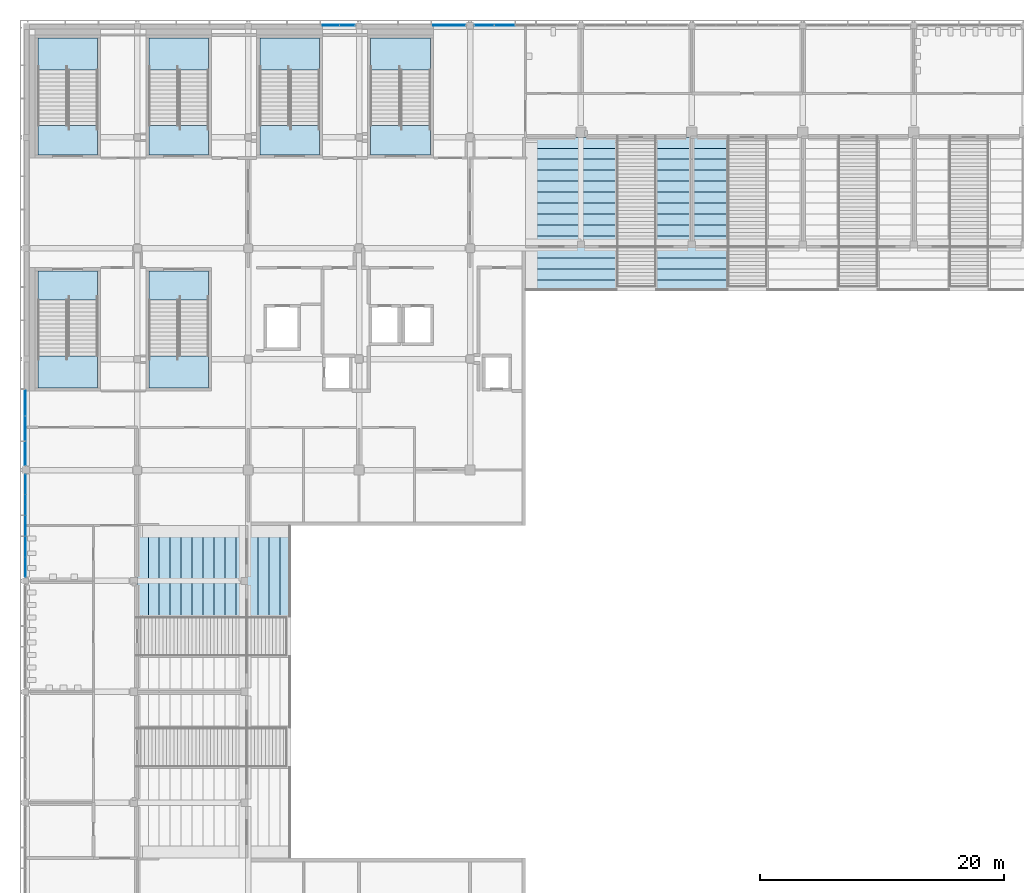
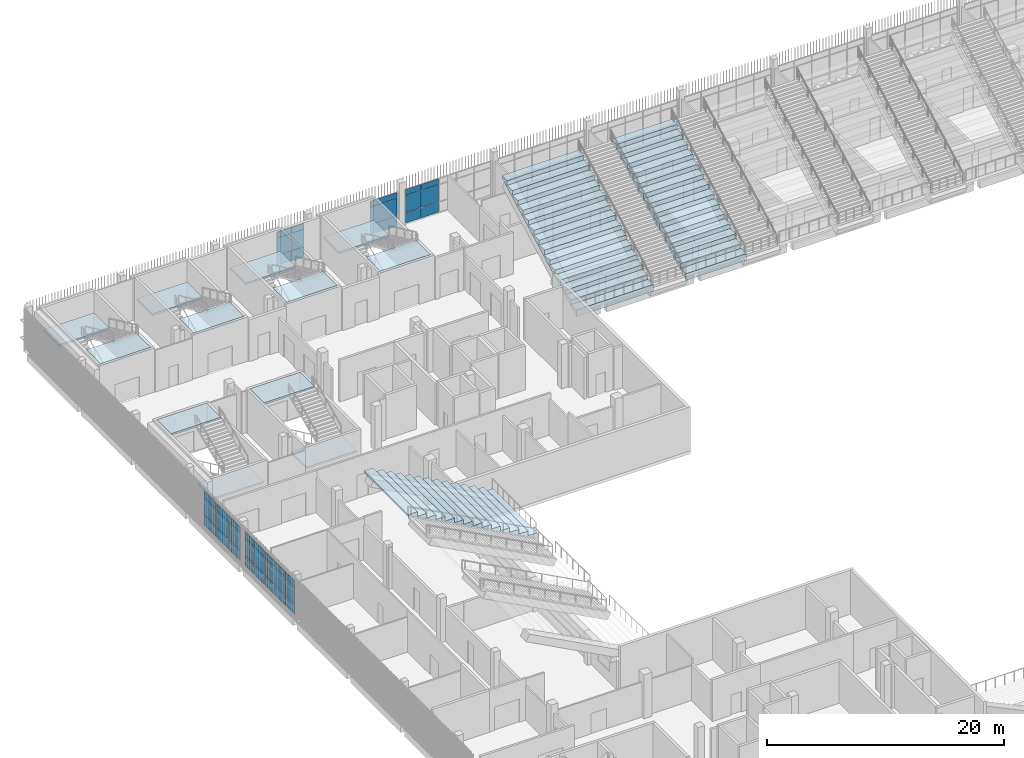
# One storey, part 67 of 139: 39 plates, 15 slabs, 11 elements without a shape of their own.
"""IFC4 building model written with IfcOpenShell, lengths in metres."""

from ifc_helpers import new_model, si_unit, direction, frame, origin, origin_2d, place, context, subcontext, project, spatial, polyline, rectangle, outline, extrude, material, layer, layer_set, type_object, element, aggregate, save


model = new_model("IFC4")

# Units and contexts
model_context = context("Model", 3, precision=1e-05, world=origin(), true_north=direction((0.0, 1.0)))
body_context = subcontext(model_context, "Body", "Model", "MODEL_VIEW")
ifc_project = project(units=[si_unit("LENGTHUNIT", "METRE"), si_unit("AREAUNIT", "SQUARE_METRE"), si_unit("VOLUMEUNIT", "CUBIC_METRE"), si_unit("PLANEANGLEUNIT", "RADIAN"), si_unit("MASSUNIT", "GRAM", prefix="KILO")], contexts=[model_context])

# Site, building, storey
site_placement = place(None, origin())
site = spatial("IfcSite", under=ifc_project, at=site_placement, CompositionType="ELEMENT")
building_placement = place(site_placement, origin())
building = spatial("IfcBuilding", under=site, at=building_placement, Name="Shirokan Park Arena", CompositionType="ELEMENT")
storey_placement = place(building_placement, frame((0.0, 0.0, 15.469970703125)))
storey = spatial("IfcBuildingStorey", under=building, at=storey_placement, Name="L03", CompositionType="ELEMENT", Elevation=15.469970703125)

# Curtain wall, plates
ifc_material_1 = material(Name="Steel and glass curtain wall", Category="steel")
ifc_layer_1 = layer(ifc_material_1, 0.10009765625)
ifc_layer_set_1 = layer_set([ifc_layer_1], Name="Steel and glass curtain wall 100 mm")
curtain_wall_type_1 = type_object("IfcCurtainWallType", Name="Curtain wall sheltered bay 100", PredefinedType="NOTDEFINED", material=ifc_layer_set_1)
curtain_wall_1_placement = place(storey_placement, origin())
curtain_wall_1 = element("IfcCurtainWall", 1, at=curtain_wall_1_placement, inside=storey, type_object=curtain_wall_type_1, Name="Curtain wall north bay 12 L03", PredefinedType="NOTDEFINED")
ifc_material_2 = material(Name="Aluminium sheet", Category="aluminium")
ifc_layer_2 = layer(ifc_material_2, 0.0029296875, Name="Aluminium sheet")
ifc_material_3 = material(Name="Mineral wool insulation")
ifc_layer_3 = layer(ifc_material_3, 0.053955078125, Name="Mineral wool insulation")
ifc_layer_4 = layer(ifc_material_2, 0.0029296875, Name="Aluminium sheet")
ifc_layer_set_2 = layer_set([ifc_layer_2, ifc_layer_3, ifc_layer_4], Name="Aluminium sheet + Mineral wool insulation")
plate_type_1 = type_object("IfcPlateType", Name="Insulated spandrel panel 60", PredefinedType="CURTAIN_PANEL", material=ifc_layer_set_2)
plate_1_placement = place(storey_placement, frame((39.24755859375, 109.300048828125, 2.919921875), z_axis=(0.0, 0.0, 1.0), x_axis=(-1.0, 0.0, 0.0)))
plate_1 = element("IfcPlate", 2, at=plate_1_placement, type_object=plate_type_1, Name="CW2 panel 4.3", PredefinedType="CURTAIN_PANEL", context=body_context, shape_type="SweptSolid", body=[
    extrude(rectangle(XDim=1.6650390625, YDim=0.06005859375, at=origin_2d()), origin(), (0.0, 0.0, 1.0), 0.590087890625),
])
plate_2_placement = place(storey_placement, frame((37.570068359375, 109.300048828125, 2.919921875), z_axis=(0.0, 0.0, 1.0), x_axis=(-1.0, 0.0, 0.0)))
plate_2 = element("IfcPlate", 3, at=plate_2_placement, type_object=plate_type_1, Name="CW2 panel 5.3", PredefinedType="CURTAIN_PANEL", context=body_context, shape_type="SweptSolid", body=[
    extrude(rectangle(XDim=1.590087890625, YDim=0.06005859375, at=origin_2d()), origin(), (0.0, 0.0, 1.0), 0.590087890625),
])

# Curtain wall, plate
ifc_layer_5 = layer(ifc_material_1, 0.1201171875)
ifc_layer_set_3 = layer_set([ifc_layer_5], Name="Steel and glass curtain wall 120 mm")
curtain_wall_type_2 = type_object("IfcCurtainWallType", Name="Curtain wall corner block side bay 120", PredefinedType="NOTDEFINED", material=ifc_layer_set_3)
curtain_wall_2_placement = place(storey_placement, origin())
curtain_wall_2 = element("IfcCurtainWall", 4, at=curtain_wall_2_placement, inside=storey, type_object=curtain_wall_type_2, Name="Curtain wall north bay 13 L03", PredefinedType="NOTDEFINED")
plate_3_placement = place(storey_placement, frame((34.71240234375, 109.2900390625, 2.919921875), z_axis=(0.0, 0.0, 1.0), x_axis=(-1.0, 0.0, 0.0)))
plate_3 = element("IfcPlate", 5, at=plate_3_placement, type_object=plate_type_1, Name="CW3 panel 1.3", PredefinedType="CURTAIN_PANEL", context=body_context, shape_type="SweptSolid", body=[
    extrude(rectangle(XDim=2.625, YDim=0.06005859375, at=origin_2d()), origin(), (0.0, 0.0, 1.0), 0.590087890625),
])

# Curtain wall, plates
curtain_wall_3_placement = place(storey_placement, origin())
curtain_wall_3 = element("IfcCurtainWall", 6, at=curtain_wall_3_placement, inside=storey, type_object=curtain_wall_type_2, Name="Curtain wall north bay 14 L03", PredefinedType="NOTDEFINED")
plate_4_placement = place(storey_placement, frame((26.324951171875, 109.2900390625, 2.919921875), z_axis=(0.0, 0.0, 1.0), x_axis=(-1.0, 0.0, 0.0)))
plate_4 = element("IfcPlate", 7, at=plate_4_placement, type_object=plate_type_1, Name="CW3 panel 1.3", PredefinedType="CURTAIN_PANEL", context=body_context, shape_type="SweptSolid", body=[
    extrude(rectangle(XDim=1.25, YDim=0.06005859375, at=origin_2d()), origin(), (0.0, 0.0, 1.0), 0.590087890625),
])
plate_5_placement = place(storey_placement, frame((24.97509765625, 109.2900390625, 2.919921875), z_axis=(0.0, 0.0, 1.0), x_axis=(-1.0, 0.0, 0.0)))
plate_5 = element("IfcPlate", 8, at=plate_5_placement, type_object=plate_type_1, Name="CW3 panel 2.3", PredefinedType="CURTAIN_PANEL", context=body_context, shape_type="SweptSolid", body=[
    extrude(rectangle(XDim=1.35009765625, YDim=0.06005859375, at=origin_2d()), origin(), (0.0, 0.0, 1.0), 0.590087890625),
])

curtain_wall_4_placement = place(storey_placement, origin())
curtain_wall_4 = element("IfcCurtainWall", 9, at=curtain_wall_4_placement, inside=storey, type_object=curtain_wall_type_2, Name="Curtain wall west bay 4 L03", PredefinedType="NOTDEFINED")
plate_6_placement = place(storey_placement, frame((-0.090087890625, 78.279052734375, 2.919921875), z_axis=(0.0, 0.0, 1.0), x_axis=(0.0, -1.0, 0.0)))
plate_6 = element("IfcPlate", 10, at=plate_6_placement, type_object=plate_type_1, Name="CW3 panel 1.3", PredefinedType="CURTAIN_PANEL", context=body_context, shape_type="SweptSolid", body=[
    extrude(rectangle(XDim=2.041748046875, YDim=0.06005859375, at=origin_2d()), origin(), (0.0, 0.0, 1.0), 0.590087890625),
])
plate_7_placement = place(storey_placement, frame((-0.090087890625, 76.199951171875, 2.919921875), z_axis=(0.0, 0.0, 1.0), x_axis=(0.0, -1.0, 0.0)))
plate_7 = element("IfcPlate", 11, at=plate_7_placement, type_object=plate_type_1, Name="CW3 panel 2.3", PredefinedType="CURTAIN_PANEL", context=body_context, shape_type="SweptSolid", body=[
    extrude(rectangle(XDim=2.0166015625, YDim=0.06005859375, at=origin_2d()), origin(), (0.0, 0.0, 1.0), 0.590087890625),
])
plate_8_placement = place(storey_placement, frame((-0.090087890625, 74.1708984375, 2.919921875), z_axis=(0.0, 0.0, 1.0), x_axis=(0.0, -1.0, 0.0)))
plate_8 = element("IfcPlate", 12, at=plate_8_placement, type_object=plate_type_1, Name="CW3 panel 3.3", PredefinedType="CURTAIN_PANEL", context=body_context, shape_type="SweptSolid", body=[
    extrude(rectangle(XDim=1.941650390625, YDim=0.06005859375, at=origin_2d()), origin(), (0.0, 0.0, 1.0), 0.590087890625),
])

ifc_layer_6 = layer(ifc_material_1, 0.14990234375)
ifc_layer_set_4 = layer_set([ifc_layer_6], Name="Steel and glass curtain wall 150 mm")
curtain_wall_type_3 = type_object("IfcCurtainWallType", Name="Curtain wall exposed bay 150", PredefinedType="NOTDEFINED", material=ifc_layer_set_4)
curtain_wall_5_placement = place(storey_placement, origin())
curtain_wall_5 = element("IfcCurtainWall", 13, at=curtain_wall_5_placement, inside=storey, type_object=curtain_wall_type_3, Name="Curtain wall west bay 5 L03", PredefinedType="NOTDEFINED")
plate_9_placement = place(storey_placement, frame((-0.074951171875, 71.607421875, 2.919921875), z_axis=(0.0, 0.0, 1.0), x_axis=(0.0, -1.0, 0.0)))
plate_9 = element("IfcPlate", 14, at=plate_9_placement, type_object=plate_type_1, Name="CW1 panel 1.3", PredefinedType="CURTAIN_PANEL", context=body_context, shape_type="SweptSolid", body=[
    extrude(rectangle(XDim=1.5849609375, YDim=0.06005859375, at=origin_2d()), origin(), (0.0, 0.0, 1.0), 0.590087890625),
])
plate_10_placement = place(storey_placement, frame((-0.074951171875, 69.93505859375, 2.919921875), z_axis=(0.0, 0.0, 1.0), x_axis=(0.0, -1.0, 0.0)))
plate_10 = element("IfcPlate", 15, at=plate_10_placement, type_object=plate_type_1, Name="CW1 panel 2.3", PredefinedType="CURTAIN_PANEL", context=body_context, shape_type="SweptSolid", body=[
    extrude(rectangle(XDim=1.659912109375, YDim=0.06005859375, at=origin_2d()), origin(), (0.0, 0.0, 1.0), 0.590087890625),
])
plate_11_placement = place(storey_placement, frame((-0.074951171875, 68.22509765625, 2.919921875), z_axis=(0.0, 0.0, 1.0), x_axis=(0.0, -1.0, 0.0)))
plate_11 = element("IfcPlate", 16, at=plate_11_placement, type_object=plate_type_1, Name="CW1 panel 3.3", PredefinedType="CURTAIN_PANEL", context=body_context, shape_type="SweptSolid", body=[
    extrude(rectangle(XDim=1.659912109375, YDim=0.06005859375, at=origin_2d()), origin(), (0.0, 0.0, 1.0), 0.590087890625),
])
plate_12_placement = place(storey_placement, frame((-0.074951171875, 66.514892578125, 2.919921875), z_axis=(0.0, 0.0, 1.0), x_axis=(0.0, -1.0, 0.0)))
plate_12 = element("IfcPlate", 17, at=plate_12_placement, type_object=plate_type_1, Name="CW1 panel 4.3", PredefinedType="CURTAIN_PANEL", context=body_context, shape_type="SweptSolid", body=[
    extrude(rectangle(XDim=1.659912109375, YDim=0.06005859375, at=origin_2d()), origin(), (0.0, 0.0, 1.0), 0.590087890625),
])
plate_13_placement = place(storey_placement, frame((-0.074951171875, 64.842529296875, 2.919921875), z_axis=(0.0, 0.0, 1.0), x_axis=(0.0, -1.0, 0.0)))
plate_13 = element("IfcPlate", 18, at=plate_13_placement, type_object=plate_type_1, Name="CW1 panel 5.3", PredefinedType="CURTAIN_PANEL", context=body_context, shape_type="SweptSolid", body=[
    extrude(rectangle(XDim=1.5849609375, YDim=0.06005859375, at=origin_2d()), origin(), (0.0, 0.0, 1.0), 0.590087890625),
])

# Plate
ifc_material_4 = material(Name="Toughened glass", Category="glass")
ifc_layer_7 = layer(ifc_material_4, 0.012939453125, Name="Toughened glass")
ifc_material_5 = material(Name="Interlayer film")
ifc_layer_8 = layer(ifc_material_5, 0.001953125, Name="Interlayer film")
ifc_layer_9 = layer(ifc_material_4, 0.012939453125, Name="Toughened glass")
ifc_layer_set_5 = layer_set([ifc_layer_7, ifc_layer_8, ifc_layer_9], Name="Toughened glass + Interlayer film")
plate_type_2 = type_object("IfcPlateType", Name="Laminated glass panel 28", PredefinedType="CURTAIN_PANEL", material=ifc_layer_set_5)
plate_14_placement = place(storey_placement, frame((39.24755859375, 109.300048828125, 1.1201171875), z_axis=(0.0, 0.0, 1.0), x_axis=(-1.0, 0.0, 0.0)))
plate_14 = element("IfcPlate", 19, at=plate_14_placement, type_object=plate_type_2, Name="CW2 panel 4.2", PredefinedType="CURTAIN_PANEL", context=body_context, shape_type="SweptSolid", body=[
    extrude(rectangle(XDim=1.6650390625, YDim=0.028076171875, at=origin_2d()), origin(), (0.0, 0.0, 1.0), 1.760009765625),
])

plate_15_placement = place(storey_placement, frame((37.570068359375, 109.300048828125, 1.1201171875), z_axis=(0.0, 0.0, 1.0), x_axis=(-1.0, 0.0, 0.0)))
plate_15 = element("IfcPlate", 20, at=plate_15_placement, type_object=plate_type_2, Name="CW2 panel 5.2", PredefinedType="CURTAIN_PANEL", context=body_context, shape_type="SweptSolid", body=[
    extrude(rectangle(XDim=1.590087890625, YDim=0.028076171875, at=origin_2d()), origin(), (0.0, 0.0, 1.0), 1.760009765625),
])

plate_16_placement = place(storey_placement, frame((34.71240234375, 109.2900390625, 1.1201171875), z_axis=(0.0, 0.0, 1.0), x_axis=(-1.0, 0.0, 0.0)))
plate_16 = element("IfcPlate", 21, at=plate_16_placement, type_object=plate_type_2, Name="CW3 panel 1.2", PredefinedType="CURTAIN_PANEL", context=body_context, shape_type="SweptSolid", body=[
    extrude(rectangle(XDim=2.625, YDim=0.028076171875, at=origin_2d()), origin(), (0.0, 0.0, 1.0), 1.760009765625),
])

plate_17_placement = place(storey_placement, frame((26.324951171875, 109.2900390625, 1.1201171875), z_axis=(0.0, 0.0, 1.0), x_axis=(-1.0, 0.0, 0.0)))
plate_17 = element("IfcPlate", 22, at=plate_17_placement, type_object=plate_type_2, Name="CW3 panel 1.2", PredefinedType="CURTAIN_PANEL", context=body_context, shape_type="SweptSolid", body=[
    extrude(rectangle(XDim=1.25, YDim=0.028076171875, at=origin_2d()), origin(), (0.0, 0.0, 1.0), 1.760009765625),
])

plate_18_placement = place(storey_placement, frame((24.97509765625, 109.2900390625, 1.1201171875), z_axis=(0.0, 0.0, 1.0), x_axis=(-1.0, 0.0, 0.0)))
plate_18 = element("IfcPlate", 23, at=plate_18_placement, type_object=plate_type_2, Name="CW3 panel 2.2", PredefinedType="CURTAIN_PANEL", context=body_context, shape_type="SweptSolid", body=[
    extrude(rectangle(XDim=1.35009765625, YDim=0.028076171875, at=origin_2d()), origin(), (0.0, 0.0, 1.0), 1.760009765625),
])

plate_19_placement = place(storey_placement, frame((-0.090087890625, 78.279052734375, 1.1201171875), z_axis=(0.0, 0.0, 1.0), x_axis=(0.0, -1.0, 0.0)))
plate_19 = element("IfcPlate", 24, at=plate_19_placement, type_object=plate_type_2, Name="CW3 panel 1.2", PredefinedType="CURTAIN_PANEL", context=body_context, shape_type="SweptSolid", body=[
    extrude(rectangle(XDim=2.041748046875, YDim=0.028076171875, at=origin_2d()), origin(), (0.0, 0.0, 1.0), 1.760009765625),
])

plate_20_placement = place(storey_placement, frame((-0.090087890625, 76.199951171875, 1.1201171875), z_axis=(0.0, 0.0, 1.0), x_axis=(0.0, -1.0, 0.0)))
plate_20 = element("IfcPlate", 25, at=plate_20_placement, type_object=plate_type_2, Name="CW3 panel 2.2", PredefinedType="CURTAIN_PANEL", context=body_context, shape_type="SweptSolid", body=[
    extrude(rectangle(XDim=2.0166015625, YDim=0.028076171875, at=origin_2d()), origin(), (0.0, 0.0, 1.0), 1.760009765625),
])

plate_21_placement = place(storey_placement, frame((-0.090087890625, 74.1708984375, 1.1201171875), z_axis=(0.0, 0.0, 1.0), x_axis=(0.0, -1.0, 0.0)))
plate_21 = element("IfcPlate", 26, at=plate_21_placement, type_object=plate_type_2, Name="CW3 panel 3.2", PredefinedType="CURTAIN_PANEL", context=body_context, shape_type="SweptSolid", body=[
    extrude(rectangle(XDim=1.941650390625, YDim=0.028076171875, at=origin_2d()), origin(), (0.0, 0.0, 1.0), 1.760009765625),
])

plate_22_placement = place(storey_placement, frame((-0.074951171875, 71.607421875, 1.1201171875), z_axis=(0.0, 0.0, 1.0), x_axis=(0.0, -1.0, 0.0)))
plate_22 = element("IfcPlate", 27, at=plate_22_placement, type_object=plate_type_2, Name="CW1 panel 1.2", PredefinedType="CURTAIN_PANEL", context=body_context, shape_type="SweptSolid", body=[
    extrude(rectangle(XDim=1.5849609375, YDim=0.028076171875, at=origin_2d()), origin(), (0.0, 0.0, 1.0), 1.760009765625),
])

plate_23_placement = place(storey_placement, frame((-0.074951171875, 69.93505859375, 1.1201171875), z_axis=(0.0, 0.0, 1.0), x_axis=(0.0, -1.0, 0.0)))
plate_23 = element("IfcPlate", 28, at=plate_23_placement, type_object=plate_type_2, Name="CW1 panel 2.2", PredefinedType="CURTAIN_PANEL", context=body_context, shape_type="SweptSolid", body=[
    extrude(rectangle(XDim=1.659912109375, YDim=0.028076171875, at=origin_2d()), origin(), (0.0, 0.0, 1.0), 1.760009765625),
])

plate_24_placement = place(storey_placement, frame((-0.074951171875, 68.22509765625, 1.1201171875), z_axis=(0.0, 0.0, 1.0), x_axis=(0.0, -1.0, 0.0)))
plate_24 = element("IfcPlate", 29, at=plate_24_placement, type_object=plate_type_2, Name="CW1 panel 3.2", PredefinedType="CURTAIN_PANEL", context=body_context, shape_type="SweptSolid", body=[
    extrude(rectangle(XDim=1.659912109375, YDim=0.028076171875, at=origin_2d()), origin(), (0.0, 0.0, 1.0), 1.760009765625),
])

plate_25_placement = place(storey_placement, frame((-0.074951171875, 66.514892578125, 1.1201171875), z_axis=(0.0, 0.0, 1.0), x_axis=(0.0, -1.0, 0.0)))
plate_25 = element("IfcPlate", 30, at=plate_25_placement, type_object=plate_type_2, Name="CW1 panel 4.2", PredefinedType="CURTAIN_PANEL", context=body_context, shape_type="SweptSolid", body=[
    extrude(rectangle(XDim=1.659912109375, YDim=0.028076171875, at=origin_2d()), origin(), (0.0, 0.0, 1.0), 1.760009765625),
])

plate_26_placement = place(storey_placement, frame((-0.074951171875, 64.842529296875, 1.1201171875), z_axis=(0.0, 0.0, 1.0), x_axis=(0.0, -1.0, 0.0)))
plate_26 = element("IfcPlate", 31, at=plate_26_placement, type_object=plate_type_2, Name="CW1 panel 5.2", PredefinedType="CURTAIN_PANEL", context=body_context, shape_type="SweptSolid", body=[
    extrude(rectangle(XDim=1.5849609375, YDim=0.028076171875, at=origin_2d()), origin(), (0.0, 0.0, 1.0), 1.760009765625),
])

ifc_layer_10 = layer(ifc_material_4, 0.01708984375, Name="Toughened glass")
ifc_layer_11 = layer(ifc_material_5, 0.001953125, Name="Interlayer film")
ifc_layer_12 = layer(ifc_material_4, 0.01708984375, Name="Toughened glass")
ifc_layer_set_6 = layer_set([ifc_layer_10, ifc_layer_11, ifc_layer_12], Name="Toughened glass + Interlayer film")
plate_type_3 = type_object("IfcPlateType", Name="Laminated safety glass panel 36", PredefinedType="CURTAIN_PANEL", material=ifc_layer_set_6)
plate_27_placement = place(storey_placement, frame((39.24755859375, 109.300048828125, 0.0400390625), z_axis=(0.0, 0.0, 1.0), x_axis=(-1.0, 0.0, 0.0)))
plate_27 = element("IfcPlate", 32, at=plate_27_placement, type_object=plate_type_3, Name="CW2 panel 4.1", PredefinedType="CURTAIN_PANEL", context=body_context, shape_type="SweptSolid", body=[
    extrude(rectangle(XDim=1.6650390625, YDim=0.035888671875, at=origin_2d()), origin(), (0.0, 0.0, 1.0), 1.0400390625),
])

plate_28_placement = place(storey_placement, frame((37.570068359375, 109.300048828125, 0.0400390625), z_axis=(0.0, 0.0, 1.0), x_axis=(-1.0, 0.0, 0.0)))
plate_28 = element("IfcPlate", 33, at=plate_28_placement, type_object=plate_type_3, Name="CW2 panel 5.1", PredefinedType="CURTAIN_PANEL", context=body_context, shape_type="SweptSolid", body=[
    extrude(rectangle(XDim=1.590087890625, YDim=0.035888671875, at=origin_2d()), origin(), (0.0, 0.0, 1.0), 1.0400390625),
])

aggregate(curtain_wall_1, [plate_27, plate_14, plate_1, plate_28, plate_15, plate_2])

plate_29_placement = place(storey_placement, frame((34.71240234375, 109.2900390625, 0.0400390625), z_axis=(0.0, 0.0, 1.0), x_axis=(-1.0, 0.0, 0.0)))
plate_29 = element("IfcPlate", 34, at=plate_29_placement, type_object=plate_type_3, Name="CW3 panel 1.1", PredefinedType="CURTAIN_PANEL", context=body_context, shape_type="SweptSolid", body=[
    extrude(rectangle(XDim=2.625, YDim=0.035888671875, at=origin_2d()), origin(), (0.0, 0.0, 1.0), 1.0400390625),
])

aggregate(curtain_wall_2, [plate_29, plate_16, plate_3])

plate_30_placement = place(storey_placement, frame((26.324951171875, 109.2900390625, 0.0400390625), z_axis=(0.0, 0.0, 1.0), x_axis=(-1.0, 0.0, 0.0)))
plate_30 = element("IfcPlate", 35, at=plate_30_placement, type_object=plate_type_3, Name="CW3 panel 1.1", PredefinedType="CURTAIN_PANEL", context=body_context, shape_type="SweptSolid", body=[
    extrude(rectangle(XDim=1.25, YDim=0.035888671875, at=origin_2d()), origin(), (0.0, 0.0, 1.0), 1.0400390625),
])

plate_31_placement = place(storey_placement, frame((24.97509765625, 109.2900390625, 0.0400390625), z_axis=(0.0, 0.0, 1.0), x_axis=(-1.0, 0.0, 0.0)))
plate_31 = element("IfcPlate", 36, at=plate_31_placement, type_object=plate_type_3, Name="CW3 panel 2.1", PredefinedType="CURTAIN_PANEL", context=body_context, shape_type="SweptSolid", body=[
    extrude(rectangle(XDim=1.35009765625, YDim=0.035888671875, at=origin_2d()), origin(), (0.0, 0.0, 1.0), 1.0400390625),
])

aggregate(curtain_wall_3, [plate_30, plate_17, plate_4, plate_31, plate_18, plate_5])

plate_32_placement = place(storey_placement, frame((-0.090087890625, 78.279052734375, 0.0400390625), z_axis=(0.0, 0.0, 1.0), x_axis=(0.0, -1.0, 0.0)))
plate_32 = element("IfcPlate", 37, at=plate_32_placement, type_object=plate_type_3, Name="CW3 panel 1.1", PredefinedType="CURTAIN_PANEL", context=body_context, shape_type="SweptSolid", body=[
    extrude(rectangle(XDim=2.041748046875, YDim=0.035888671875, at=origin_2d()), origin(), (0.0, 0.0, 1.0), 1.0400390625),
])

plate_33_placement = place(storey_placement, frame((-0.090087890625, 76.199951171875, 0.0400390625), z_axis=(0.0, 0.0, 1.0), x_axis=(0.0, -1.0, 0.0)))
plate_33 = element("IfcPlate", 38, at=plate_33_placement, type_object=plate_type_3, Name="CW3 panel 2.1", PredefinedType="CURTAIN_PANEL", context=body_context, shape_type="SweptSolid", body=[
    extrude(rectangle(XDim=2.0166015625, YDim=0.035888671875, at=origin_2d()), origin(), (0.0, 0.0, 1.0), 1.0400390625),
])

plate_34_placement = place(storey_placement, frame((-0.090087890625, 74.1708984375, 0.0400390625), z_axis=(0.0, 0.0, 1.0), x_axis=(0.0, -1.0, 0.0)))
plate_34 = element("IfcPlate", 39, at=plate_34_placement, type_object=plate_type_3, Name="CW3 panel 3.1", PredefinedType="CURTAIN_PANEL", context=body_context, shape_type="SweptSolid", body=[
    extrude(rectangle(XDim=1.941650390625, YDim=0.035888671875, at=origin_2d()), origin(), (0.0, 0.0, 1.0), 1.0400390625),
])

aggregate(curtain_wall_4, [plate_32, plate_19, plate_6, plate_33, plate_20, plate_7, plate_34, plate_21, plate_8])

plate_35_placement = place(storey_placement, frame((-0.074951171875, 71.607421875, 0.0400390625), z_axis=(0.0, 0.0, 1.0), x_axis=(0.0, -1.0, 0.0)))
plate_35 = element("IfcPlate", 40, at=plate_35_placement, type_object=plate_type_3, Name="CW1 panel 1.1", PredefinedType="CURTAIN_PANEL", context=body_context, shape_type="SweptSolid", body=[
    extrude(rectangle(XDim=1.5849609375, YDim=0.035888671875, at=origin_2d()), origin(), (0.0, 0.0, 1.0), 1.0400390625),
])

plate_36_placement = place(storey_placement, frame((-0.074951171875, 69.93505859375, 0.0400390625), z_axis=(0.0, 0.0, 1.0), x_axis=(0.0, -1.0, 0.0)))
plate_36 = element("IfcPlate", 41, at=plate_36_placement, type_object=plate_type_3, Name="CW1 panel 2.1", PredefinedType="CURTAIN_PANEL", context=body_context, shape_type="SweptSolid", body=[
    extrude(rectangle(XDim=1.659912109375, YDim=0.035888671875, at=origin_2d()), origin(), (0.0, 0.0, 1.0), 1.0400390625),
])

plate_37_placement = place(storey_placement, frame((-0.074951171875, 68.22509765625, 0.0400390625), z_axis=(0.0, 0.0, 1.0), x_axis=(0.0, -1.0, 0.0)))
plate_37 = element("IfcPlate", 42, at=plate_37_placement, type_object=plate_type_3, Name="CW1 panel 3.1", PredefinedType="CURTAIN_PANEL", context=body_context, shape_type="SweptSolid", body=[
    extrude(rectangle(XDim=1.659912109375, YDim=0.035888671875, at=origin_2d()), origin(), (0.0, 0.0, 1.0), 1.0400390625),
])

plate_38_placement = place(storey_placement, frame((-0.074951171875, 66.514892578125, 0.0400390625), z_axis=(0.0, 0.0, 1.0), x_axis=(0.0, -1.0, 0.0)))
plate_38 = element("IfcPlate", 43, at=plate_38_placement, type_object=plate_type_3, Name="CW1 panel 4.1", PredefinedType="CURTAIN_PANEL", context=body_context, shape_type="SweptSolid", body=[
    extrude(rectangle(XDim=1.659912109375, YDim=0.035888671875, at=origin_2d()), origin(), (0.0, 0.0, 1.0), 1.0400390625),
])

plate_39_placement = place(storey_placement, frame((-0.074951171875, 64.842529296875, 0.0400390625), z_axis=(0.0, 0.0, 1.0), x_axis=(0.0, -1.0, 0.0)))
plate_39 = element("IfcPlate", 44, at=plate_39_placement, type_object=plate_type_3, Name="CW1 panel 5.1", PredefinedType="CURTAIN_PANEL", context=body_context, shape_type="SweptSolid", body=[
    extrude(rectangle(XDim=1.5849609375, YDim=0.035888671875, at=origin_2d()), origin(), (0.0, 0.0, 1.0), 1.0400390625),
])

aggregate(curtain_wall_5, [plate_35, plate_22, plate_9, plate_36, plate_23, plate_10, plate_37, plate_24, plate_11, plate_38, plate_25, plate_12, plate_39, plate_26, plate_13])

# Slabs
ifc_material_6 = material(Name="Concrete C35", Category="concrete")
ifc_layer_13 = layer(ifc_material_6, 0.199951171875)
ifc_layer_set_7 = layer_set([ifc_layer_13], Name="Concrete C35 200 mm")
slab_type_1 = type_object("IfcSlabType", Name="RC seating tier upper 200", PredefinedType="USERDEFINED", material=ifc_layer_set_7)
slab_1_placement = place(storey_placement, frame((44.699951171875, 87.5, 2.860107421875), z_axis=(0.0, 0.0, 1.0), x_axis=(0.0, 1.0, 0.0)))
element("IfcSlab", 45, at=slab_1_placement, inside=storey, type_object=slab_type_1, Name="Stand upper N 1", ObjectType="SEATING TIER", PredefinedType="USERDEFINED", context=body_context, shape_type="SweptSolid", body=[
    extrude(outline(polyline([(0.0, 0.0), (0.89990234375, 0.0), (0.89990234375, 0.47998046875), (1.800048828125, 0.47998046875), (1.800048828125, 0.9599609375), (2.699951171875, 0.9599609375), (2.699951171875, 1.43994140625), (3.60009765625, 1.43994140625), (3.60009765625, 1.919921875), (4.5, 1.919921875), (4.5, 2.39990234375), (5.39990234375, 2.39990234375), (5.39990234375, 2.8798828125), (6.300048828125, 2.8798828125), (6.300048828125, 3.360107421875), (7.199951171875, 3.360107421875), (7.199951171875, 3.840087890625), (8.10009765625, 3.840087890625), (8.10009765625, 4.320068359375), (9.0, 4.320068359375), (9.0, 4.800048828125), (9.89990234375, 4.800048828125), (9.89990234375, 5.280029296875), (10.800048828125, 5.280029296875), (10.800048828125, 5.760009765625), (11.699951171875, 5.760009765625), (11.699951171875, 6.239990234375), (12.60009765625, 6.239990234375), (12.60009765625, 6.013427734375), (0.0, -0.706787109375), (0.0, 0.0)])), frame((0.0, 3.75, 0.0), z_axis=(0.0, -1.0, 0.0), x_axis=(1.0, 0.0, 0.0)), (0.0, 0.0, 1.0), 7.5),
])
slab_2_placement = place(storey_placement, frame((54.60009765625, 87.5, 2.860107421875), z_axis=(0.0, 0.0, 1.0), x_axis=(0.0, 1.0, 0.0)))
element("IfcSlab", 46, at=slab_2_placement, inside=storey, type_object=slab_type_1, Name="Stand upper N 2", ObjectType="SEATING TIER", PredefinedType="USERDEFINED", context=body_context, shape_type="SweptSolid", body=[
    extrude(outline(polyline([(0.0, 0.0), (0.89990234375, 0.0), (0.89990234375, 0.47998046875), (1.800048828125, 0.47998046875), (1.800048828125, 0.9599609375), (2.699951171875, 0.9599609375), (2.699951171875, 1.43994140625), (3.60009765625, 1.43994140625), (3.60009765625, 1.919921875), (4.5, 1.919921875), (4.5, 2.39990234375), (5.39990234375, 2.39990234375), (5.39990234375, 2.8798828125), (6.300048828125, 2.8798828125), (6.300048828125, 3.360107421875), (7.199951171875, 3.360107421875), (7.199951171875, 3.840087890625), (8.10009765625, 3.840087890625), (8.10009765625, 4.320068359375), (9.0, 4.320068359375), (9.0, 4.800048828125), (9.89990234375, 4.800048828125), (9.89990234375, 5.280029296875), (10.800048828125, 5.280029296875), (10.800048828125, 5.760009765625), (11.699951171875, 5.760009765625), (11.699951171875, 6.239990234375), (12.60009765625, 6.239990234375), (12.60009765625, 6.013427734375), (0.0, -0.706787109375), (0.0, 0.0)])), frame((0.0, 2.949951171875, 0.0), z_axis=(0.0, -1.0, 0.0), x_axis=(1.0, 0.0, 0.0)), (0.0, 0.0, 1.0), 5.89990234375),
])
slab_3_placement = place(storey_placement, frame((21.699951171875, 64.5, 2.860107421875), z_axis=(0.0, 0.0, 1.0), x_axis=(-1.0, 0.0, 0.0)))
element("IfcSlab", 47, at=slab_3_placement, inside=storey, type_object=slab_type_1, Name="Stand upper W 3", ObjectType="SEATING TIER", PredefinedType="USERDEFINED", context=body_context, shape_type="SweptSolid", body=[
    extrude(outline(polyline([(0.0, 0.0), (0.89990234375, 0.0), (0.89990234375, 0.47998046875), (1.800048828125, 0.47998046875), (1.800048828125, 0.9599609375), (2.699951171875, 0.9599609375), (2.699951171875, 1.43994140625), (3.60009765625, 1.43994140625), (3.60009765625, 1.919921875), (4.5, 1.919921875), (4.5, 2.39990234375), (5.39990234375, 2.39990234375), (5.39990234375, 2.8798828125), (6.300048828125, 2.8798828125), (6.300048828125, 3.360107421875), (7.199951171875, 3.360107421875), (7.199951171875, 3.840087890625), (8.10009765625, 3.840087890625), (8.10009765625, 4.320068359375), (9.0, 4.320068359375), (9.0, 4.800048828125), (9.89990234375, 4.800048828125), (9.89990234375, 5.280029296875), (10.800048828125, 5.280029296875), (10.800048828125, 5.760009765625), (11.699951171875, 5.760009765625), (11.699951171875, 6.239990234375), (12.60009765625, 6.239990234375), (12.60009765625, 6.013427734375), (0.0, -0.706787109375), (0.0, 0.0)])), frame((0.0, 3.75, 0.0), z_axis=(0.0, -1.0, 0.0), x_axis=(1.0, 0.0, 0.0)), (0.0, 0.0, 1.0), 7.5),
])

# Stair, slabs
ifc_material_7 = material(Name="Concrete C30 precast", Category="concrete")
stair_type = type_object("IfcStairType", Name="Stair 30 risers 152 x 327 2400 wide", PredefinedType="TWO_STRAIGHT_RUN_STAIR", material=ifc_material_7)
stair_1_placement = place(storey_placement, origin())
stair_1 = element("IfcStair", 48, at=stair_1_placement, inside=storey, type_object=stair_type, Name="Exit Stair 4.A L03 to L04", PredefinedType="TWO_STRAIGHT_RUN_STAIR")
ifc_layer_14 = layer(ifc_material_7, 0.199951171875)
ifc_layer_set_8 = layer_set([ifc_layer_14], Name="Concrete C30 precast 200 mm")
slab_type_2 = type_object("IfcSlabType", Name="Stair landing 200", PredefinedType="LANDING", material=ifc_layer_set_8)
slab_4_placement = place(storey_placement, frame((0.0, 0.0, 2.074951171875)))
slab_4 = element("IfcSlab", 49, at=slab_4_placement, type_object=slab_type_2, Name="ST10.4 landing 1", PredefinedType="LANDING", context=body_context, shape_type="SweptSolid", body=[
    extrude(outline(polyline([(0.949951171875, 105.623779296875), (5.85009765625, 105.623779296875), (5.85009765625, 108.25), (0.949951171875, 108.25), (0.949951171875, 105.623779296875)])), origin(), (0.0, 0.0, 1.0), 0.2001953125),
])
slab_5_placement = place(storey_placement, frame((0.0, 0.0, 4.35009765625)))
slab_5 = element("IfcSlab", 50, at=slab_5_placement, type_object=slab_type_2, Name="ST10.4 landing 2", PredefinedType="LANDING", context=body_context, shape_type="SweptSolid", body=[
    extrude(outline(polyline([(0.949951171875, 98.64990234375), (5.85009765625, 98.64990234375), (5.85009765625, 101.050048828125), (0.949951171875, 101.050048828125), (0.949951171875, 98.64990234375)])), origin(), (0.0, 0.0, 1.0), 0.199951171875),
])
aggregate(stair_1, [slab_4, slab_5])

stair_2_placement = place(storey_placement, origin())
stair_2 = element("IfcStair", 51, at=stair_2_placement, inside=storey, type_object=stair_type, Name="Exit Stair 4.B L03 to L04", PredefinedType="TWO_STRAIGHT_RUN_STAIR")
slab_6_placement = place(storey_placement, frame((0.0, 0.0, 2.074951171875)))
slab_6 = element("IfcSlab", 52, at=slab_6_placement, type_object=slab_type_2, Name="ST11.4 landing 1", PredefinedType="LANDING", context=body_context, shape_type="SweptSolid", body=[
    extrude(outline(polyline([(10.050048828125, 105.623779296875), (14.949951171875, 105.623779296875), (14.949951171875, 108.25), (10.050048828125, 108.25), (10.050048828125, 105.623779296875)])), origin(), (0.0, 0.0, 1.0), 0.2001953125),
])
slab_7_placement = place(storey_placement, frame((0.0, 0.0, 4.35009765625)))
slab_7 = element("IfcSlab", 53, at=slab_7_placement, type_object=slab_type_2, Name="ST11.4 landing 2", PredefinedType="LANDING", context=body_context, shape_type="SweptSolid", body=[
    extrude(outline(polyline([(10.050048828125, 98.64990234375), (14.949951171875, 98.64990234375), (14.949951171875, 101.050048828125), (10.050048828125, 101.050048828125), (10.050048828125, 98.64990234375)])), origin(), (0.0, 0.0, 1.0), 0.199951171875),
])
aggregate(stair_2, [slab_6, slab_7])

stair_3_placement = place(storey_placement, origin())
stair_3 = element("IfcStair", 54, at=stair_3_placement, inside=storey, type_object=stair_type, Name="Exit Stair 4.C L03 to L04", PredefinedType="TWO_STRAIGHT_RUN_STAIR")
slab_8_placement = place(storey_placement, frame((0.0, 0.0, 2.074951171875)))
slab_8 = element("IfcSlab", 55, at=slab_8_placement, type_object=slab_type_2, Name="ST12.4 landing 1", PredefinedType="LANDING", context=body_context, shape_type="SweptSolid", body=[
    extrude(outline(polyline([(19.14990234375, 105.623779296875), (24.050048828125, 105.623779296875), (24.050048828125, 108.25), (19.14990234375, 108.25), (19.14990234375, 105.623779296875)])), origin(), (0.0, 0.0, 1.0), 0.2001953125),
])
slab_9_placement = place(storey_placement, frame((0.0, 0.0, 4.35009765625)))
slab_9 = element("IfcSlab", 56, at=slab_9_placement, type_object=slab_type_2, Name="ST12.4 landing 2", PredefinedType="LANDING", context=body_context, shape_type="SweptSolid", body=[
    extrude(outline(polyline([(19.14990234375, 98.64990234375), (24.050048828125, 98.64990234375), (24.050048828125, 101.050048828125), (19.14990234375, 101.050048828125), (19.14990234375, 98.64990234375)])), origin(), (0.0, 0.0, 1.0), 0.199951171875),
])
aggregate(stair_3, [slab_8, slab_9])

stair_4_placement = place(storey_placement, origin())
stair_4 = element("IfcStair", 57, at=stair_4_placement, inside=storey, type_object=stair_type, Name="Exit Stair 4.D L03 to L04", PredefinedType="TWO_STRAIGHT_RUN_STAIR")
slab_10_placement = place(storey_placement, frame((0.0, 0.0, 2.074951171875)))
slab_10 = element("IfcSlab", 58, at=slab_10_placement, type_object=slab_type_2, Name="ST13.4 landing 1", PredefinedType="LANDING", context=body_context, shape_type="SweptSolid", body=[
    extrude(outline(polyline([(28.25, 105.623779296875), (33.14990234375, 105.623779296875), (33.14990234375, 108.25), (28.25, 108.25), (28.25, 105.623779296875)])), origin(), (0.0, 0.0, 1.0), 0.2001953125),
])
slab_11_placement = place(storey_placement, frame((0.0, 0.0, 4.35009765625)))
slab_11 = element("IfcSlab", 59, at=slab_11_placement, type_object=slab_type_2, Name="ST13.4 landing 2", PredefinedType="LANDING", context=body_context, shape_type="SweptSolid", body=[
    extrude(outline(polyline([(28.25, 98.64990234375), (33.14990234375, 98.64990234375), (33.14990234375, 101.050048828125), (28.25, 101.050048828125), (28.25, 98.64990234375)])), origin(), (0.0, 0.0, 1.0), 0.199951171875),
])
aggregate(stair_4, [slab_10, slab_11])

stair_5_placement = place(storey_placement, origin())
stair_5 = element("IfcStair", 60, at=stair_5_placement, inside=storey, type_object=stair_type, Name="Exit Stair 4.E L03 to L04", PredefinedType="TWO_STRAIGHT_RUN_STAIR")
slab_12_placement = place(storey_placement, frame((0.0, 0.0, 2.074951171875)))
slab_12 = element("IfcSlab", 61, at=slab_12_placement, type_object=slab_type_2, Name="ST14.4 landing 1", PredefinedType="LANDING", context=body_context, shape_type="SweptSolid", body=[
    extrude(outline(polyline([(0.949951171875, 79.550048828125), (5.85009765625, 79.550048828125), (5.85009765625, 82.17626953125), (0.949951171875, 82.17626953125), (0.949951171875, 79.550048828125)])), origin(), (0.0, 0.0, 1.0), 0.2001953125),
])
slab_13_placement = place(storey_placement, frame((0.0, 0.0, 4.35009765625)))
slab_13 = element("IfcSlab", 62, at=slab_13_placement, type_object=slab_type_2, Name="ST14.4 landing 2", PredefinedType="LANDING", context=body_context, shape_type="SweptSolid", body=[
    extrude(outline(polyline([(0.949951171875, 86.75), (5.85009765625, 86.75), (5.85009765625, 89.14990234375), (0.949951171875, 89.14990234375), (0.949951171875, 86.75)])), origin(), (0.0, 0.0, 1.0), 0.199951171875),
])
aggregate(stair_5, [slab_12, slab_13])

stair_6_placement = place(storey_placement, origin())
stair_6 = element("IfcStair", 63, at=stair_6_placement, inside=storey, type_object=stair_type, Name="Exit Stair 4.F L03 to L04", PredefinedType="TWO_STRAIGHT_RUN_STAIR")
slab_14_placement = place(storey_placement, frame((0.0, 0.0, 2.074951171875)))
slab_14 = element("IfcSlab", 64, at=slab_14_placement, type_object=slab_type_2, Name="ST15.4 landing 1", PredefinedType="LANDING", context=body_context, shape_type="SweptSolid", body=[
    extrude(outline(polyline([(10.050048828125, 79.550048828125), (14.949951171875, 79.550048828125), (14.949951171875, 82.17626953125), (10.050048828125, 82.17626953125), (10.050048828125, 79.550048828125)])), origin(), (0.0, 0.0, 1.0), 0.2001953125),
])
slab_15_placement = place(storey_placement, frame((0.0, 0.0, 4.35009765625)))
slab_15 = element("IfcSlab", 65, at=slab_15_placement, type_object=slab_type_2, Name="ST15.4 landing 2", PredefinedType="LANDING", context=body_context, shape_type="SweptSolid", body=[
    extrude(outline(polyline([(10.050048828125, 86.75), (14.949951171875, 86.75), (14.949951171875, 89.14990234375), (10.050048828125, 89.14990234375), (10.050048828125, 86.75)])), origin(), (0.0, 0.0, 1.0), 0.199951171875),
])
aggregate(stair_6, [slab_14, slab_15])

save(model, "model.ifc")
